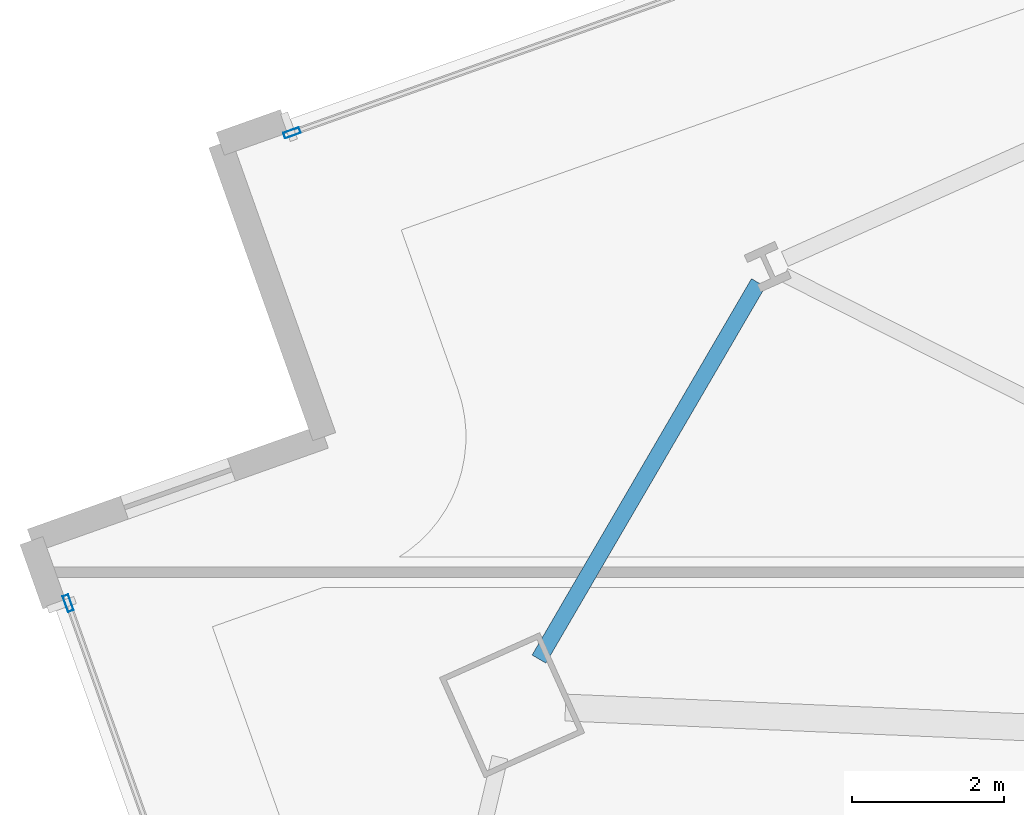
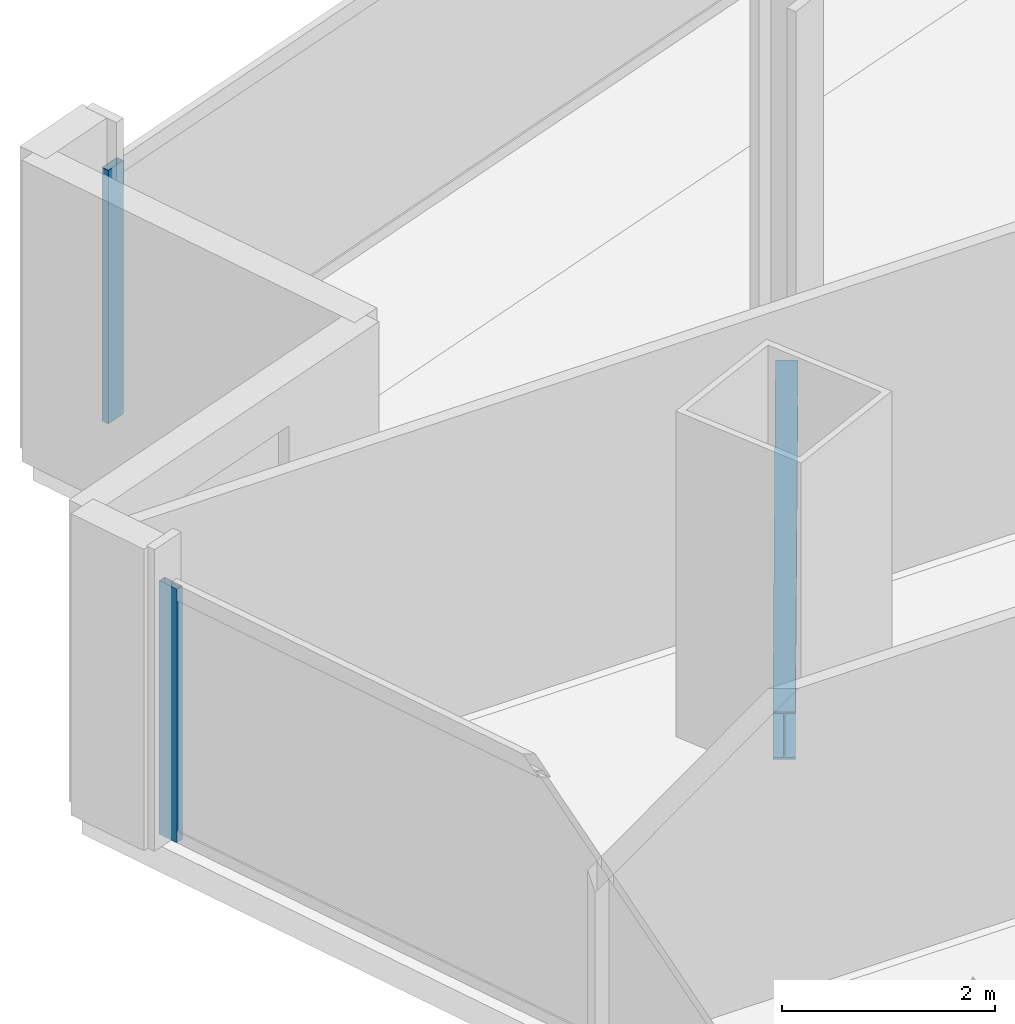
# One storey, part 16 of 33: 2 members, 1 beam, 2 elements without a shape of their own.
"""IFC4 building model written with IfcOpenShell, lengths in metres."""

from ifc_helpers import new_model, si_unit, direction, frame, origin, origin_2d, place, context, subcontext, project, spatial, hollow_rectangle, i_section, extrude, material, material_profile, profile_set, type_object, element, aggregate, save


model = new_model("IFC4")

# Units and contexts
model_context = context("Model", 3, precision=1e-05, world=origin(), true_north=direction((0.0, 1.0)))
body_context = subcontext(model_context, "Body", "Model", "MODEL_VIEW")
ifc_project = project(units=[si_unit("LENGTHUNIT", "METRE"), si_unit("AREAUNIT", "SQUARE_METRE"), si_unit("VOLUMEUNIT", "CUBIC_METRE"), si_unit("PLANEANGLEUNIT", "RADIAN"), si_unit("MASSUNIT", "GRAM", prefix="KILO")], contexts=[model_context])

# Site, building, storey
site_placement = place(None, origin())
site = spatial("IfcSite", under=ifc_project, at=site_placement, CompositionType="ELEMENT")
building_placement = place(site_placement, origin())
building = spatial("IfcBuilding", under=site, at=building_placement, Name="Haldenkirk Collegiate Tower", CompositionType="ELEMENT")
storey_placement = place(building_placement, frame((0.0, 0.0, 94.199951171875)))
storey = spatial("IfcBuildingStorey", under=building, at=storey_placement, Name="L22", CompositionType="ELEMENT", Elevation=94.199951171875)

# Beam
ifc_material_1 = material(Name="Steel ASTM A992 Grade 50", Category="steel")
ifc_material_profile_1 = material_profile(ifc_material_1, i_section(OverallWidth=0.2119140625, OverallDepth=0.5439453125, WebThickness=0.01318359375, FlangeThickness=0.021240234375, at=origin_2d()), Name="W21X83")
ifc_profile_set_1 = profile_set([ifc_material_profile_1], Name="Steel ASTM A992 Grade 50")
beam_type = type_object("IfcBeamType", Name="BM-SPANDREL-W21X83", PredefinedType="SPANDREL", material=ifc_profile_set_1)
beam_placement = place(storey_placement, frame((14.035888671875, 40.27001953125, -0.572021484375), z_axis=(-0.503649179098, -0.863908273137, 0.0), x_axis=(0.863908273137, -0.503649179098, 0.0)))
element("IfcBeam", 1, at=beam_placement, inside=storey, type_object=beam_type, Name="L22 perimeter spandrel beam 12", PredefinedType="SPANDREL", context=body_context, shape_type="SweptSolid", body=[
    extrude(i_section(OverallWidth=0.2119140625, OverallDepth=0.5439453125, WebThickness=0.01318359375, FlangeThickness=0.021240234375, at=origin_2d()), origin(), (0.0, 0.0, 1.0), 5.748046875),
])

# Curtain wall, member
ifc_material_2 = material(Name="Anodised architectural bronze aluminium", Category="aluminium")
curtain_wall_type = type_object("IfcCurtainWallType", Name="CW-SYS1-CONVEX-LOW", PredefinedType="USERDEFINED", material=ifc_material_2)
curtain_wall_1_placement = place(storey_placement, origin())
curtain_wall_1 = element("IfcCurtainWall", 2, at=curtain_wall_1_placement, inside=storey, type_object=curtain_wall_type, Name="L22 Lower tower convex bronze-framed unitised curtain wall", ObjectType="UNITISED CURTAIN WALL", PredefinedType="USERDEFINED")
ifc_material_profile_2 = material_profile(ifc_material_2, hollow_rectangle(XDim=0.080078125, YDim=0.219970703125, WallThickness=0.0048828125, at=origin_2d()), Name="CW-MUL-1A")
ifc_profile_set_2 = profile_set([ifc_material_profile_2], Name="Anodised architectural bronze aluminium")
member_type = type_object("IfcMemberType", Name="CW-MUL-1A", PredefinedType="MULLION", material=ifc_profile_set_2)
member_1_placement = place(storey_placement, frame((7.882080078125, 42.247802734375, 0.0), z_axis=(0.0, 0.0, 1.0), x_axis=(-0.334627839055, 0.942350364424, 0.0)))
member_1 = element("IfcMember", 3, at=member_1_placement, type_object=member_type, Name="CW-1A mullion 1", PredefinedType="MULLION", context=body_context, shape_type="SweptSolid", body=[
    extrude(hollow_rectangle(XDim=0.080078125, YDim=0.219970703125, WallThickness=0.0048828125, at=origin_2d()), origin(), (0.0, 0.0, 1.0), 2.901123046875),
])
aggregate(curtain_wall_1, [member_1])

curtain_wall_2_placement = place(storey_placement, origin())
curtain_wall_2 = element("IfcCurtainWall", 4, at=curtain_wall_2_placement, inside=storey, type_object=curtain_wall_type, Name="L22 Lower tower convex bronze-framed unitised curtain wall", ObjectType="UNITISED CURTAIN WALL", PredefinedType="USERDEFINED")
member_2_placement = place(storey_placement, frame((4.928466796875, 36.04150390625, 0.0), z_axis=(0.0, 0.0, 1.0), x_axis=(-0.942350931235, -0.334626242845, 0.0)))
member_2 = element("IfcMember", 5, at=member_2_placement, type_object=member_type, Name="CW-1A mullion 5", PredefinedType="MULLION", context=body_context, shape_type="SweptSolid", body=[
    extrude(hollow_rectangle(XDim=0.080078125, YDim=0.219970703125, WallThickness=0.0048828125, at=origin_2d()), origin(), (0.0, 0.0, 1.0), 2.901123046875),
])
aggregate(curtain_wall_2, [member_2])

save(model, "model.ifc")
